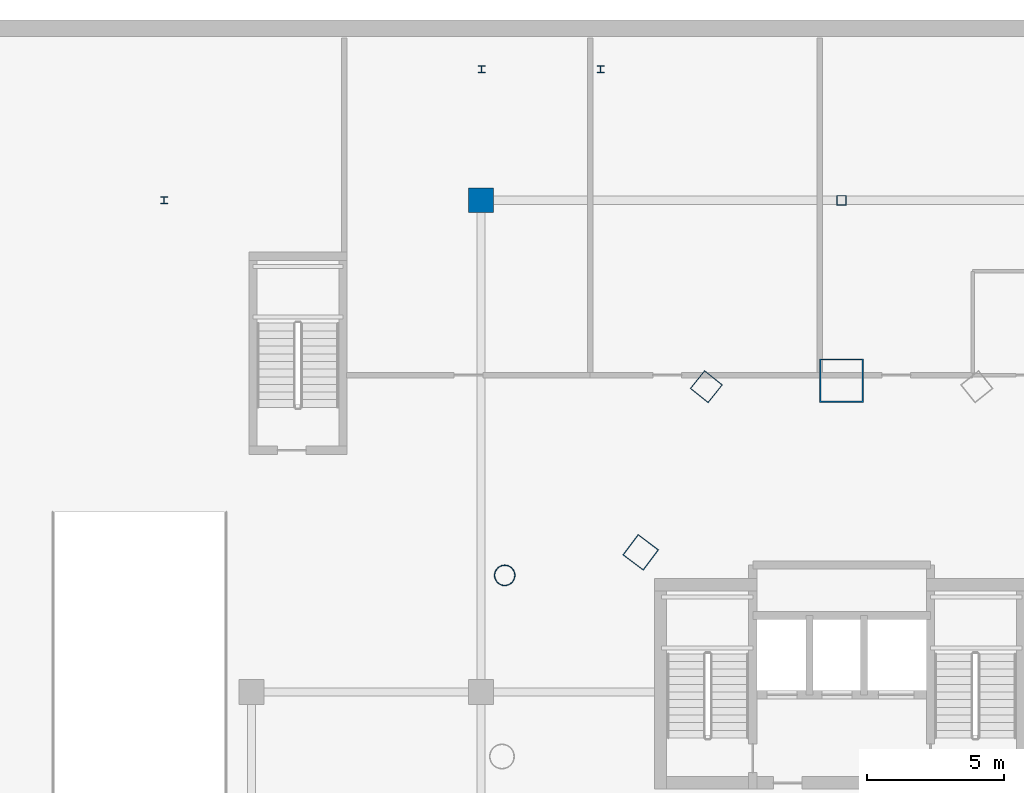
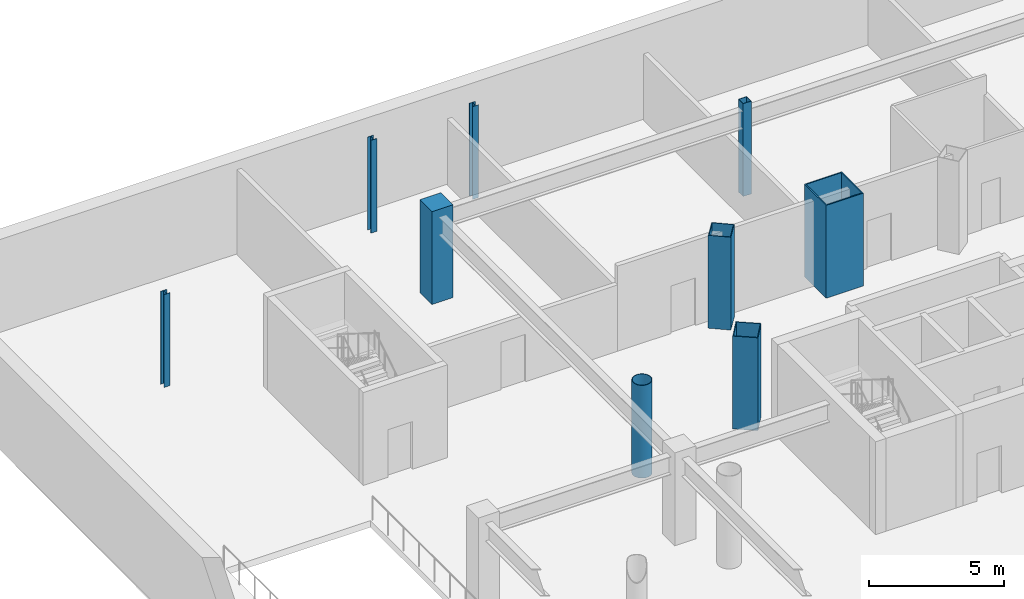
# One storey, part 3 of 10: 9 columns.
"""IFC4 building model written with IfcOpenShell, lengths in metres."""

from ifc_helpers import new_model, si_unit, direction, frame, origin, origin_2d, place, context, subcontext, project, spatial, rectangle, hollow_rectangle, hollow_circle, i_section, extrude, material, material_profile, profile_set, type_object, element, save


model = new_model("IFC4")

# Units and contexts
model_context = context("Model", 3, precision=1e-05, world=origin(), true_north=direction((0.0, 1.0)))
body_context = subcontext(model_context, "Body", "Model", "MODEL_VIEW")
ifc_project = project(units=[si_unit("LENGTHUNIT", "METRE"), si_unit("AREAUNIT", "SQUARE_METRE"), si_unit("VOLUMEUNIT", "CUBIC_METRE"), si_unit("PLANEANGLEUNIT", "RADIAN"), si_unit("MASSUNIT", "GRAM", prefix="KILO")], contexts=[model_context])

# Site, building, storey
site_placement = place(None, origin())
site = spatial("IfcSite", under=ifc_project, at=site_placement, CompositionType="ELEMENT")
building_placement = place(site_placement, origin())
building = spatial("IfcBuilding", under=site, at=building_placement, Name="Orvanel Arch Residences", CompositionType="ELEMENT")
storey_placement = place(building_placement, frame((0.0, 0.0, -4.199951171875)))
storey = spatial("IfcBuildingStorey", under=building, at=storey_placement, Name="B01", CompositionType="ELEMENT", Elevation=-4.199951171875)

# Columns
ifc_material_1 = material(Name="Structural steel AS/NZS 1163 C450L0 (Grade 450)", Category="steel")
ifc_material_profile_1 = material_profile(ifc_material_1, hollow_circle(Radius=0.381103515625, WallThickness=0.02197265625, at=origin_2d()), Name="CHS762x22")
ifc_profile_set_1 = profile_set([ifc_material_profile_1], Name="Structural steel AS/NZS 1163 C450L0 (Grade 450)")
column_type_1 = type_object("IfcColumnType", Name="CC-762", PredefinedType="COLUMN", material=ifc_profile_set_1)
column_1_placement = place(storey_placement, frame((20.669921875, 34.27099609375, 0.0), z_axis=(0.0, 0.0, 1.0), x_axis=(1.0, 0.0, 0.0)))
element("IfcColumn", 1, at=column_1_placement, inside=storey, type_object=column_type_1, Name="B01 Low-Rise Buttress Tube Column 01", PredefinedType="COLUMN", context=body_context, shape_type="SweptSolid", body=[
    extrude(hollow_circle(Radius=0.381103515625, WallThickness=0.02197265625, at=origin_2d()), origin(), (0.0, 0.0, 1.0), 4.199951171875),
])
ifc_material_2 = material(Name="Structural steel AS/NZS 3678 Grade 450", Category="steel")
ifc_material_profile_2 = material_profile(ifc_material_2, hollow_rectangle(XDim=1.60009765625, YDim=1.60009765625, WallThickness=0.050048828125, at=origin_2d()), Name="BOX1600x1600x50")
ifc_profile_set_2 = profile_set([ifc_material_profile_2], Name="Structural steel AS/NZS 3678 Grade 450")
column_type_2 = type_object("IfcColumnType", Name="MC-1600", PredefinedType="COLUMN", material=ifc_profile_set_2)
column_2_placement = place(storey_placement, frame((33.0, 41.39794921875, 0.0), z_axis=(0.0, 0.0, 1.0), x_axis=(1.0, 0.0, 0.0)))
element("IfcColumn", 2, at=column_2_placement, inside=storey, type_object=column_type_2, Name="B01 Corner Composite Mega-Column 1", PredefinedType="COLUMN", context=body_context, shape_type="SweptSolid", body=[
    extrude(hollow_rectangle(XDim=1.60009765625, YDim=1.60009765625, WallThickness=0.050048828125, at=origin_2d()), origin(), (0.0, 0.0, 1.0), 4.199951171875),
])
ifc_material_3 = material(Name="Structural steel AS/NZS 1163 C350L0 (Grade 350)", Category="steel")
ifc_material_profile_3 = material_profile(ifc_material_3, hollow_rectangle(XDim=0.35009765625, YDim=0.35009765625, WallThickness=0.01611328125, at=origin_2d()), Name="SHS350x350x16")
ifc_profile_set_3 = profile_set([ifc_material_profile_3], Name="Structural steel AS/NZS 1163 C350L0 (Grade 350)")
column_type_3 = type_object("IfcColumnType", Name="OC-350SHS", PredefinedType="COLUMN", material=ifc_profile_set_3)
column_3_placement = place(storey_placement, frame((33.0, 48.0, 0.0), z_axis=(0.0, 0.0, 1.0), x_axis=(1.0, 0.0, 0.0)))
element("IfcColumn", 3, at=column_3_placement, inside=storey, type_object=column_type_3, Name="B01 Auxiliary Podium Column 07", PredefinedType="COLUMN", context=body_context, shape_type="SweptSolid", body=[
    extrude(hollow_rectangle(XDim=0.35009765625, YDim=0.35009765625, WallThickness=0.01611328125, at=origin_2d()), origin(), (0.0, 0.0, 1.0), 4.199951171875),
])
ifc_material_4 = material(Name="Concrete S65 (65 MPa)", Category="concrete")
ifc_material_profile_4 = material_profile(ifc_material_4, rectangle(XDim=0.89990234375, YDim=0.89990234375, at=origin_2d()), Name="RC900x900")
ifc_profile_set_4 = profile_set([ifc_material_profile_4], Name="Concrete S65 (65 MPa)")
column_type_4 = type_object("IfcColumnType", Name="PC-900", PredefinedType="COLUMN", material=ifc_profile_set_4)
column_4_placement = place(storey_placement, frame((19.800048828125, 48.0, 0.0), z_axis=(0.0, 0.0, 1.0), x_axis=(1.0, 0.0, 0.0)))
element("IfcColumn", 4, at=column_4_placement, inside=storey, type_object=column_type_4, Name="B01 Podium Grid Column 07", PredefinedType="COLUMN", context=body_context, shape_type="SweptSolid", body=[
    extrude(rectangle(XDim=0.89990234375, YDim=0.89990234375, at=origin_2d()), origin(), (0.0, 0.0, 1.0), 4.199951171875),
])
ifc_material_5 = material(Name="Structural steel AS/NZS 3679.1 Grade 300 (300 MPa)", Category="steel")
ifc_material_profile_5 = material_profile(ifc_material_5, i_section(OverallWidth=0.256103515625, OverallDepth=0.260009765625, WebThickness=0.010498046875, FlangeThickness=0.017333984375, at=origin_2d()), Name="250UC89.5")
ifc_profile_set_5 = profile_set([ifc_material_profile_5], Name="Structural steel AS/NZS 3679.1 Grade 300 (300 MPa)")
column_type_5 = type_object("IfcColumnType", Name="SC-250UC", PredefinedType="COLUMN", material=ifc_profile_set_5)
for number, where, z_axis, x_axis, name in (
    (5, (8.199951171875, 48.0, 0.0), (0.0, 0.0, 1.0), (1.0, 0.0, 0.0), "B01 Auxiliary Podium Column 05"),
    (6, (19.820068359375, 52.800048828125, 0.0), (0.0, 0.0, 1.0), (1.0, 0.0, 0.0), "B01 Canopy Rear Support Column 05.1"),
    (7, (24.179931640625, 52.800048828125, 0.0), (0.0, 0.0, 1.0), (1.0, 0.0, 0.0), "B01 Canopy Rear Support Column 05.2"),
):
    element("IfcColumn", number, at=place(storey_placement, frame(where, z_axis=z_axis, x_axis=x_axis)), inside=storey, type_object=column_type_5, Name=name, PredefinedType="COLUMN", context=body_context, shape_type="SweptSolid", body=[
        extrude(i_section(OverallWidth=0.256103515625, OverallDepth=0.260009765625, WebThickness=0.010498046875, FlangeThickness=0.017333984375, at=origin_2d()), origin(), (0.0, 0.0, 1.0), 4.199951171875),
    ])
ifc_material_6 = material(Name="Structural steel AS/NZS 3678 Grade 350", Category="steel")
ifc_material_profile_6 = material_profile(ifc_material_6, hollow_rectangle(XDim=0.85009765625, YDim=0.85009765625, WallThickness=0.028076171875, at=origin_2d()), Name="BOX850x850x28")
ifc_profile_set_6 = profile_set([ifc_material_profile_6], Name="Structural steel AS/NZS 3678 Grade 350")
column_type_6 = type_object("IfcColumnType", Name="TC-850", PredefinedType="COLUMN", material=ifc_profile_set_6)
column_5_placement = place(storey_placement, frame((28.050048828125, 41.177978515625, 0.0), z_axis=(0.0, 0.0, 1.0), x_axis=(0.623879596709, 0.781520472419, 0.0)))
element("IfcColumn", 8, at=column_5_placement, inside=storey, type_object=column_type_6, Name="B01 Mid-Rise Buttress Tube Column 01", PredefinedType="COLUMN", context=body_context, shape_type="SweptSolid", body=[
    extrude(hollow_rectangle(XDim=0.85009765625, YDim=0.85009765625, WallThickness=0.028076171875, at=origin_2d()), origin(), (0.0, 0.0, 1.0), 4.199951171875),
])
ifc_material_profile_7 = material_profile(ifc_material_6, hollow_rectangle(XDim=0.949951171875, YDim=0.949951171875, WallThickness=0.031982421875, at=origin_2d()), Name="BOX950x950x32")
ifc_profile_set_7 = profile_set([ifc_material_profile_7], Name="Structural steel AS/NZS 3678 Grade 350")
column_type_7 = type_object("IfcColumnType", Name="TC-950", PredefinedType="COLUMN", material=ifc_profile_set_7)
column_6_placement = place(storey_placement, frame((25.64794921875, 35.113037109375, 0.0), z_axis=(0.0, 0.0, 1.0), x_axis=(0.600420225326, 0.799684658487, 0.0)))
element("IfcColumn", 9, at=column_6_placement, inside=storey, type_object=column_type_7, Name="B01 High-Rise Tube Column 01", PredefinedType="COLUMN", context=body_context, shape_type="SweptSolid", body=[
    extrude(hollow_rectangle(XDim=0.949951171875, YDim=0.949951171875, WallThickness=0.031982421875, at=origin_2d()), origin(), (0.0, 0.0, 1.0), 4.199951171875),
])

save(model, "model.ifc")
